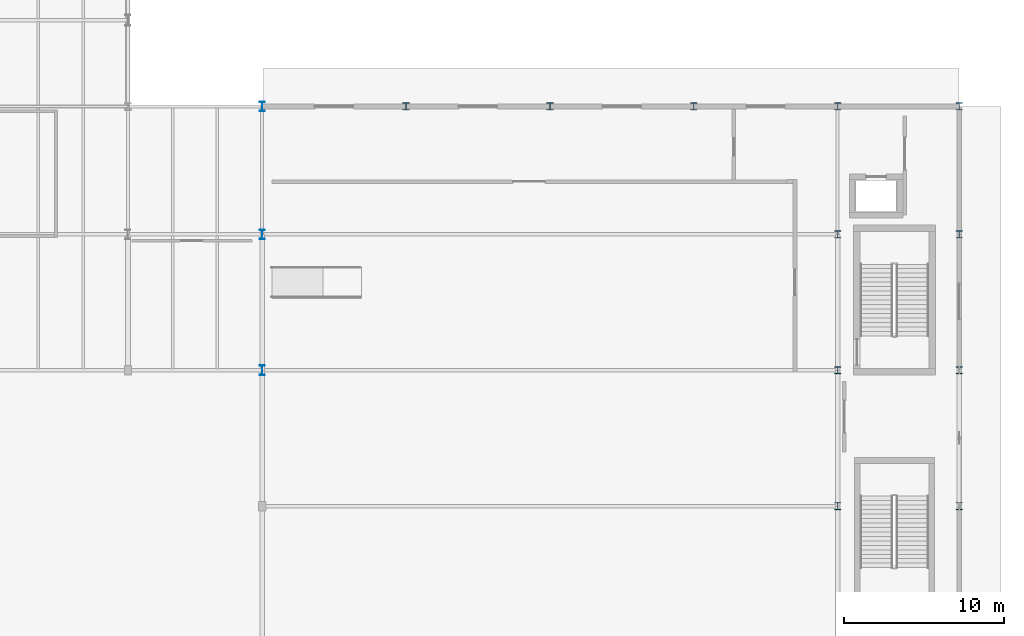
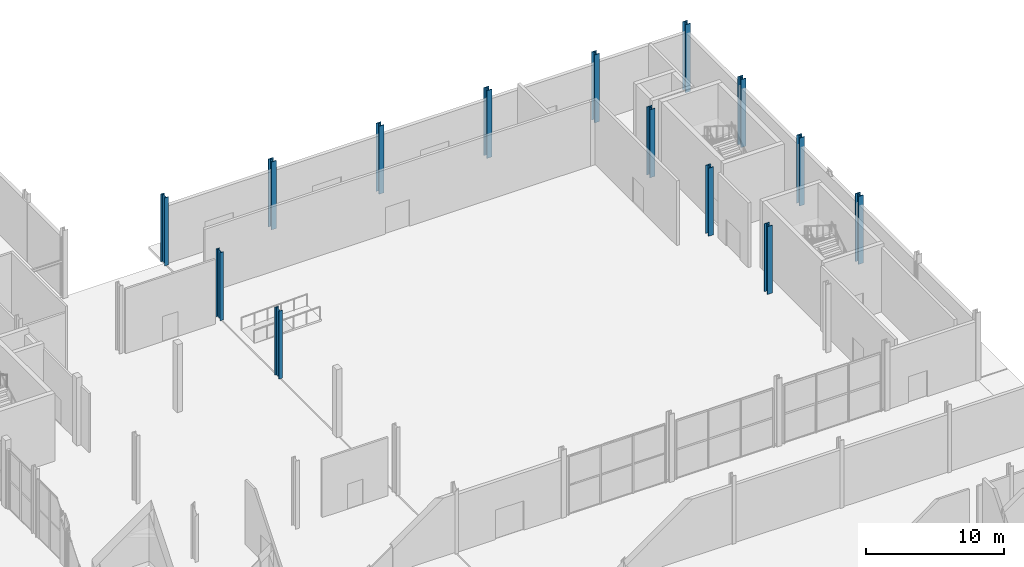
# One storey, part 16 of 84: 14 columns.
"""IFC4 building model written with IfcOpenShell, lengths in metres."""

from ifc_helpers import new_model, si_unit, direction, frame, origin, origin_2d, place, context, subcontext, project, spatial, i_section, extrude, material, material_profile, profile_set, type_object, element, save


model = new_model("IFC4")

# Units and contexts
model_context = context("Model", 3, precision=1e-05, world=origin(), true_north=direction((0.0, 1.0)))
body_context = subcontext(model_context, "Body", "Model", "MODEL_VIEW")
ifc_project = project(units=[si_unit("LENGTHUNIT", "METRE"), si_unit("AREAUNIT", "SQUARE_METRE"), si_unit("VOLUMEUNIT", "CUBIC_METRE"), si_unit("PLANEANGLEUNIT", "RADIAN"), si_unit("MASSUNIT", "GRAM", prefix="KILO")], contexts=[model_context])

# Site, building, storey
site_placement = place(None, origin())
site = spatial("IfcSite", under=ifc_project, at=site_placement, CompositionType="ELEMENT")
building_placement = place(site_placement, origin())
building = spatial("IfcBuilding", under=site, at=building_placement, Name="Sefraquen Railside Congress Hotel", CompositionType="ELEMENT")
storey_placement = place(building_placement, origin())
storey = spatial("IfcBuildingStorey", under=building, at=storey_placement, Name="L00", CompositionType="ELEMENT", Elevation=0.0)

# Columns
ifc_material_1 = material(Name="Steel S355J2", Category="steel")
ifc_material_profile_1 = material_profile(ifc_material_1, i_section(OverallWidth=0.424072265625, OverallDepth=0.47412109375, WebThickness=0.044921875, FlangeThickness=0.054931640625, FilletRadius=0.014892578125, at=origin_2d()), Name="HD 400x634")
ifc_profile_set_1 = profile_set([ifc_material_profile_1], Name="Steel S355J2")
column_type_1 = type_object("IfcColumnType", Name="TC-HD-634", PredefinedType="COLUMN", material=ifc_profile_set_1)
for number, where, z_axis, x_axis, name in (
    (1, (164.39990234375, 71.0, 0.0), (0.0, 0.0, 1.0), (1.0, 0.0, 0.0), "Structural column 21-J L00"),
    (2, (164.39990234375, 79.5, 0.0), (0.0, 0.0, 1.0), (1.0, 0.0, 0.0), "Structural column 21-K L00"),
    (3, (164.39990234375, 88.0, 0.0), (0.0, 0.0, 1.0), (1.0, 0.0, 0.0), "Structural column 21-L L00"),
    (4, (164.39990234375, 96.0, 0.0), (0.0, 0.0, 1.0), (1.0, 0.0, 0.0), "Structural column 21-M L00"),
    (5, (172.0, 71.0, 0.0), (0.0, 0.0, 1.0), (1.0, 0.0, 0.0), "Structural column 22-J L00"),
    (6, (172.0, 79.5, 0.0), (0.0, 0.0, 1.0), (1.0, 0.0, 0.0), "Structural column 22-K L00"),
    (7, (172.0, 88.0, 0.0), (0.0, 0.0, 1.0), (1.0, 0.0, 0.0), "Structural column 22-L L00"),
    (8, (172.0, 96.0, 0.0), (0.0, 0.0, 1.0), (1.0, 0.0, 0.0), "Structural column 22-M L00"),
    (9, (137.39990234375, 96.0, 0.0), (0.0, 0.0, 1.0), (1.0, 0.0, 0.0), "Structural column 18-M L00"),
    (10, (146.39990234375, 96.0, 0.0), (0.0, 0.0, 1.0), (1.0, 0.0, 0.0), "Structural column 19-M L00"),
    (11, (155.39990234375, 96.0, 0.0), (0.0, 0.0, 1.0), (1.0, 0.0, 0.0), "Structural column 20-M L00"),
):
    element("IfcColumn", number, at=place(storey_placement, frame(where, z_axis=z_axis, x_axis=x_axis)), inside=storey, type_object=column_type_1, Name=name, PredefinedType="COLUMN", context=body_context, shape_type="SweptSolid", body=[
        extrude(i_section(OverallWidth=0.424072265625, OverallDepth=0.47412109375, WebThickness=0.044921875, FlangeThickness=0.054931640625, FilletRadius=0.014892578125, at=origin_2d()), origin(), (0.0, 0.0, 1.0), 6.0),
    ])
ifc_material_2 = material(Name="Steel S355JR", Category="steel")
ifc_material_profile_2 = material_profile(ifc_material_2, i_section(OverallWidth=0.300048828125, OverallDepth=0.60009765625, WebThickness=0.015380859375, FlangeThickness=0.030029296875, FilletRadius=0.027099609375, at=origin_2d()), Name="HEB 600")
ifc_profile_set_2 = profile_set([ifc_material_profile_2], Name="Steel S355JR")
column_type_2 = type_object("IfcColumnType", Name="TC-HEB-600", PredefinedType="COLUMN", material=ifc_profile_set_2)
for number, where, z_axis, x_axis, name in (
    (12, (128.39990234375, 79.5, 0.0), (0.0, 0.0, 1.0), (1.0, 0.0, 0.0), "Structural column 17-K L00"),
    (13, (128.39990234375, 88.0, 0.0), (0.0, 0.0, 1.0), (1.0, 0.0, 0.0), "Structural column 17-L L00"),
    (14, (128.39990234375, 96.0, 0.0), (0.0, 0.0, 1.0), (1.0, 0.0, 0.0), "Structural column 17-M L00"),
):
    element("IfcColumn", number, at=place(storey_placement, frame(where, z_axis=z_axis, x_axis=x_axis)), inside=storey, type_object=column_type_2, Name=name, PredefinedType="COLUMN", context=body_context, shape_type="SweptSolid", body=[
        extrude(i_section(OverallWidth=0.300048828125, OverallDepth=0.60009765625, WebThickness=0.015380859375, FlangeThickness=0.030029296875, FilletRadius=0.027099609375, at=origin_2d()), origin(), (0.0, 0.0, 1.0), 6.0),
    ])

save(model, "model.ifc")
